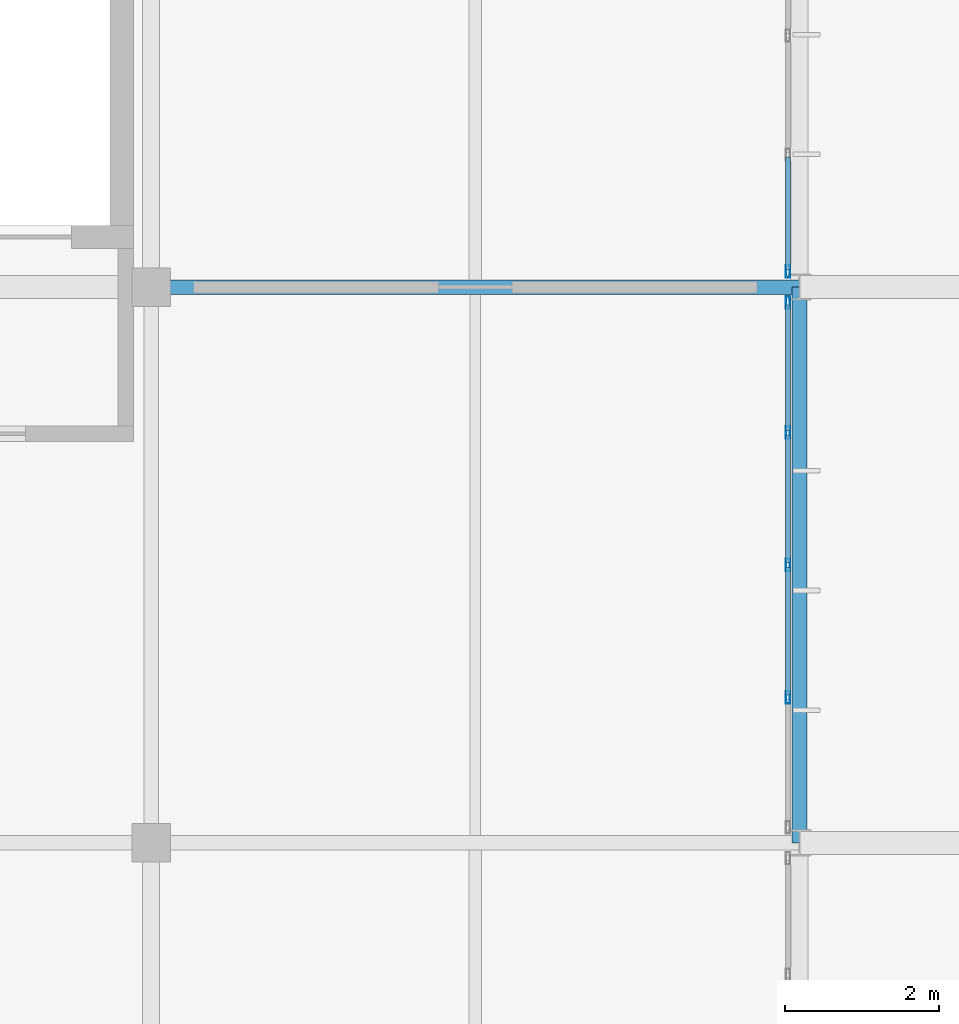
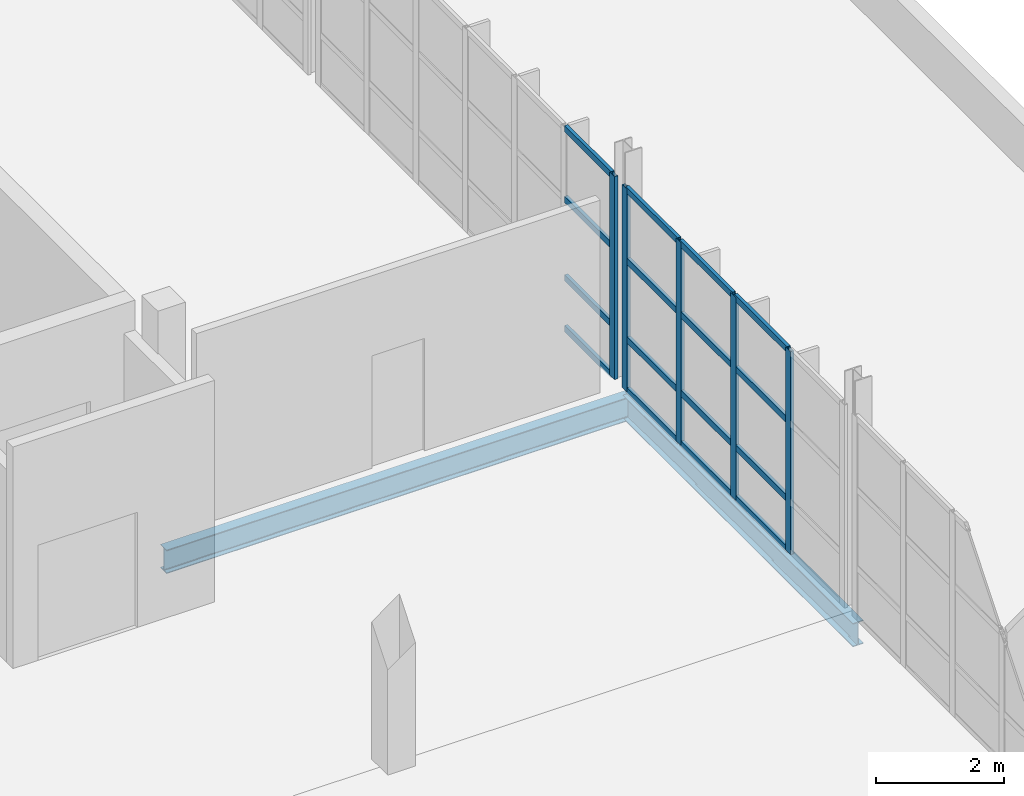
# One storey, part 76 of 103: 21 members, 2 beams, 2 elements without a shape of their own.
"""IFC4 building model written with IfcOpenShell, lengths in metres."""

import ifcopenshell
import ifcopenshell.guid

model = None  # the IFC model being written
_history = None  # IfcOwnerHistory: only IFC2X3 demands one
_inside = {}  # id of a spatial element -> (the spatial element, [elements in it])
_under = {}  # id of a project, library or spatial element -> (it, [spatial elements below it])
_declared = {}  # id of a project -> (the project, [libraries it declares])
_typed = {}  # id of a type object -> (the type object, [elements of that type])
_made_of = {}  # id of a material, layer set ... -> (it, [elements and type objects made of it])


def new_model(schema):
    """Start an empty IFC model of exactly this schema.

    Asked for "IFC4X3", IfcOpenShell would pick the latest addendum, in which some entities
    have other attributes; the version numbers below select the first issue.
    IFC2X3 requires an IfcOwnerHistory on every rooted entity: one is made here for all.
    """
    global model, _history
    if schema == "IFC4X3":
        model = ifcopenshell.file(schema_version=(4, 3, 0, 0))
    else:
        model = ifcopenshell.file(schema=schema)
    _inside.clear()
    _under.clear()
    _declared.clear()
    _typed.clear()
    _made_of.clear()
    _history = None
    if model.schema == "IFC2X3":
        org = make("IfcOrganization", Name="unknown")
        user = make(
            "IfcPersonAndOrganization",
            ThePerson=make("IfcPerson", FamilyName="unknown"),
            TheOrganization=org,
        )
        app = make(
            "IfcApplication",
            ApplicationDeveloper=org,
            Version="unknown",
            ApplicationFullName="unknown",
            ApplicationIdentifier="unknown",
        )
        _history = make(
            "IfcOwnerHistory",
            OwningUser=user,
            OwningApplication=app,
            ChangeAction="ADDED",
            CreationDate=0,
        )
    return model


def make(cls, **values):
    """One entity of the class cls with the attributes given. An attribute that is None is left unset."""
    return model.create_entity(
        cls, **{name: value for name, value in values.items() if value is not None}
    )


def rooted(cls, **values):
    """An entity with a GlobalId (a new one), such as an element, a storey or a relation."""
    return make(cls, GlobalId=ifcopenshell.guid.new(), OwnerHistory=_history, **values)


def si_unit(unit_type, name, prefix=None):
    """IfcSIUnit, for example si_unit("LENGTHUNIT", "METRE", prefix="MILLI")."""
    return make("IfcSIUnit", UnitType=unit_type, Prefix=prefix, Name=name)


def assignment(units):
    """IfcUnitAssignment: the units of a project."""
    return None if units is None else make("IfcUnitAssignment", Units=units)


def point(xyz):
    """IfcCartesianPoint."""
    return None if xyz is None else make("IfcCartesianPoint", Coordinates=xyz)


def direction(xyz):
    """IfcDirection."""
    return None if xyz is None else make("IfcDirection", DirectionRatios=xyz)


def frame(location, z_axis=None, x_axis=None):
    """IfcAxis2Placement3D, a coordinate frame: its origin and axes. An axis left out is left unset."""
    return make(
        "IfcAxis2Placement3D",
        Location=point(location),
        Axis=direction(z_axis),
        RefDirection=direction(x_axis),
    )


def frame_2d(location, x_axis=None):
    """IfcAxis2Placement2D, a coordinate frame in the plane: its origin and x axis."""
    return make(
        "IfcAxis2Placement2D", Location=point(location), RefDirection=direction(x_axis)
    )


def origin():
    """The frame at (0, 0, 0) with its axes left unset."""
    return frame((0.0, 0.0, 0.0))


def origin_2d():
    """The frame at (0, 0) in the plane with its x axis left unset."""
    return frame_2d((0.0, 0.0))


def place(relative_to, where):
    """IfcLocalPlacement: puts the frame where relative to a parent placement (None: the world)."""
    return make(
        "IfcLocalPlacement", PlacementRelTo=relative_to, RelativePlacement=where
    )


def context(
    kind, dimensions, precision=None, world=None, true_north=None, identifier=None
):
    """IfcGeometricRepresentationContext, for example the 3D "Model" context."""
    return make(
        "IfcGeometricRepresentationContext",
        ContextIdentifier=identifier,
        ContextType=kind,
        CoordinateSpaceDimension=dimensions,
        Precision=precision,
        WorldCoordinateSystem=world,
        TrueNorth=true_north,
    )


def subcontext(parent, identifier, kind, view, scale=None):
    """IfcGeometricRepresentationSubContext, for example "Body" below "Model"."""
    return make(
        "IfcGeometricRepresentationSubContext",
        ContextIdentifier=identifier,
        ContextType=kind,
        ParentContext=parent,
        TargetScale=scale,
        TargetView=view,
    )


def project(units=None, contexts=None):
    """IfcProject with its units and contexts."""
    return rooted(
        "IfcProject",
        Name="project",
        RepresentationContexts=contexts,
        UnitsInContext=assignment(units),
    )


def spatial(cls, under=None, at=None, **own):
    """A site, building, storey or space (cls), placed at a placement, below another one or the project."""
    s = rooted(cls, ObjectPlacement=at, **own)
    if under is not None:
        _under.setdefault(under.id(), (under, []))[1].append(s)
    return s


def profile(cls, at=None, kind="AREA", **sizes):
    """A parametric profile (cls). Its sizes go by their IFC names, for example OverallWidth=200.0."""
    return make(cls, ProfileType=kind, Position=at, **sizes)


def hollow_rectangle(**sizes):
    """IfcRectangleHollowProfileDef."""
    return profile("IfcRectangleHollowProfileDef", **sizes)


def i_section(**sizes):
    """IfcIShapeProfileDef."""
    return profile("IfcIShapeProfileDef", **sizes)


def extrude(swept, where, along, depth):
    """IfcExtrudedAreaSolid: the profile swept, set in the frame where, extruded along a direction by depth."""
    return make(
        "IfcExtrudedAreaSolid",
        SweptArea=swept,
        Position=where,
        ExtrudedDirection=direction(along),
        Depth=depth,
    )


def shape(context_of_items, identifier, shape_type, items):
    """IfcShapeRepresentation: the items that make up one representation, for example the "Body"."""
    return make(
        "IfcShapeRepresentation",
        ContextOfItems=context_of_items,
        RepresentationIdentifier=identifier,
        RepresentationType=shape_type,
        Items=items,
    )


def material(Name=None, Category=None):
    """IfcMaterial."""
    return make("IfcMaterial", Name=Name, Category=Category)


def material_profile(
    of_material, cross_section, Name=None, Category=None, Priority=None
):
    """IfcMaterialProfile: a cross section and its material."""
    return make(
        "IfcMaterialProfile",
        Name=Name,
        Material=of_material,
        Profile=cross_section,
        Priority=Priority,
        Category=Category,
    )


def profile_set(profiles, Name=None, composite=None):
    """IfcMaterialProfileSet."""
    return make(
        "IfcMaterialProfileSet",
        Name=Name,
        MaterialProfiles=profiles,
        CompositeProfile=composite,
    )


def made_of(thing, what):
    """Note that an element or type object is made of a material, layer set ...; save() writes the relation."""
    if what is not None:
        _made_of.setdefault(what.id(), (what, []))[1].append(thing)
    return thing


def type_object(cls, material=None, **own):
    """A type object (cls), such as IfcWallType, which elements share."""
    return made_of(rooted(cls, **own), material)


def element(
    cls,
    number,
    at=None,
    inside=None,
    cuts=None,
    type_object=None,
    material=None,
    context=None,
    identifier="Body",
    shape_type=None,
    held_by="IfcProductDefinitionShape",
    body=None,
    shapes=None,
    **own,
):
    """One element of the class cls, such as IfcWall. Its Tag is "e" and its number.

    at: its placement. inside: the storey or other place that contains it. cuts: it is an
    opening in that element (IfcRelVoidsElement). A single representation is given by context,
    identifier, shape_type and body (its items); several are given by shapes. held_by: the class
    of the entity that holds the representations. save() writes the other relations.
    """
    e = rooted(cls, Tag="e%d" % number, ObjectPlacement=at, **own)
    if body is not None:
        shapes = [shape(context, identifier, shape_type, body)]
    if shapes is not None:
        e.Representation = make(held_by, Representations=shapes)
    if inside is not None:
        _inside.setdefault(inside.id(), (inside, []))[1].append(e)
    if cuts is not None:
        rooted(
            "IfcRelVoidsElement", RelatingBuildingElement=cuts, RelatedOpeningElement=e
        )
    if type_object is not None:
        _typed.setdefault(type_object.id(), (type_object, []))[1].append(e)
    return made_of(e, material)


def aggregate(whole, parts):
    """IfcRelAggregates: a whole, such as a stair, and the parts it consists of."""
    return rooted("IfcRelAggregates", RelatingObject=whole, RelatedObjects=parts)


def save(model, path):
    """Write the relations noted so far, then the file.

    IfcRelAggregates (storeys below a building ...), IfcRelContainedInSpatialStructure (elements
    in a storey), IfcRelDefinesByType, IfcRelAssociatesMaterial and IfcRelDeclares: one each for
    every whole, place, type object, material and project.
    """
    for whole, parts in _under.values():
        aggregate(whole, parts)
    for where, things in _inside.values():
        rooted(
            "IfcRelContainedInSpatialStructure",
            RelatedElements=things,
            RelatingStructure=where,
        )
    for kind, things in _typed.values():
        rooted("IfcRelDefinesByType", RelatedObjects=things, RelatingType=kind)
    for what, things in _made_of.values():
        rooted("IfcRelAssociatesMaterial", RelatedObjects=things, RelatingMaterial=what)
    for by, libraries in _declared.values():
        rooted("IfcRelDeclares", RelatingContext=by, RelatedDefinitions=libraries)
    model.write(path)


model = new_model("IFC4")

# Units and contexts
model_context = context("Model", 3, precision=1e-05, world=origin(), true_north=direction((0.0, 1.0)))
body_context = subcontext(model_context, "Body", "Model", "MODEL_VIEW")
ifc_project = project(units=[si_unit("LENGTHUNIT", "METRE"), si_unit("AREAUNIT", "SQUARE_METRE"), si_unit("VOLUMEUNIT", "CUBIC_METRE"), si_unit("PLANEANGLEUNIT", "RADIAN"), si_unit("MASSUNIT", "GRAM", prefix="KILO")], contexts=[model_context])

# Site, building, storey
site_placement = place(None, origin())
site = spatial("IfcSite", under=ifc_project, at=site_placement, CompositionType="ELEMENT")
building_placement = place(site_placement, origin())
building = spatial("IfcBuilding", under=site, at=building_placement, Name="Veltarok Museum of Natural Sciences", CompositionType="ELEMENT")
storey_placement = place(building_placement, frame((0.0, 0.0, 21.89990234375)))
storey = spatial("IfcBuildingStorey", under=building, at=storey_placement, Name="L04", CompositionType="ELEMENT", Elevation=21.89990234375)

# Curtain wall, members
ifc_material_1 = material(Name="Low-iron triple insulated glass", Category="glass")
curtain_wall_type_1 = type_object("IfcCurtainWallType", Name="Curtain Wall System CW-V5E-L04-C-686x388 (V5 East Lab L04 C-D 686x388cm)", PredefinedType="NOTDEFINED", material=ifc_material_1)
curtain_wall_1_placement = place(storey_placement, origin())
curtain_wall_1 = element("IfcCurtainWall", 1, at=curtain_wall_1_placement, inside=storey, type_object=curtain_wall_type_1, Name="Curtain Wall CW-V5E-L04-C-686x388 CW-0122", PredefinedType="NOTDEFINED")
ifc_material_2 = material(Name="Thermally broken anodised aluminium", Category="aluminium")
ifc_material_profile_1 = material_profile(ifc_material_2, hollow_rectangle(XDim=0.06005859375, YDim=0.1201171875, WallThickness=0.0048828125, at=origin_2d()), Name="CW TRANSOM 60x120x5")
ifc_profile_set_1 = profile_set([ifc_material_profile_1], Name="Thermally broken anodised aluminium")
member_type_1 = type_object("IfcMemberType", Name="Curtain Wall Horizontal Transom 60x120x5", PredefinedType="USERDEFINED", material=ifc_profile_set_1)
member_1_placement = place(storey_placement, frame((149.050048828125, 21.114990234375, 0.030029296875), z_axis=(0.0, 1.0, 0.0), x_axis=(-1.0, 0.0, 0.0)))
member_1 = element("IfcMember", 2, at=member_1_placement, type_object=member_type_1, Name="CW-V5E-L04-C-686x388 transom 2.1", ObjectType="TRANSOM", PredefinedType="USERDEFINED", context=body_context, shape_type="SweptSolid", body=[
    extrude(hollow_rectangle(XDim=0.06005859375, YDim=0.1201171875, WallThickness=0.0048828125, at=origin_2d()), origin(), (0.0, 0.0, 1.0), 1.655029296875),
])
member_2_placement = place(storey_placement, frame((149.050048828125, 21.114990234375, 1.0), z_axis=(0.0, 1.0, 0.0), x_axis=(-1.0, 0.0, 0.0)))
member_2 = element("IfcMember", 3, at=member_2_placement, type_object=member_type_1, Name="CW-V5E-L04-C-686x388 transom 2.2", ObjectType="TRANSOM", PredefinedType="USERDEFINED", context=body_context, shape_type="SweptSolid", body=[
    extrude(hollow_rectangle(XDim=0.06005859375, YDim=0.1201171875, WallThickness=0.0048828125, at=origin_2d()), origin(), (0.0, 0.0, 1.0), 1.655029296875),
])
member_3_placement = place(storey_placement, frame((149.050048828125, 21.114990234375, 2.5), z_axis=(0.0, 1.0, 0.0), x_axis=(-1.0, 0.0, 0.0)))
member_3 = element("IfcMember", 4, at=member_3_placement, type_object=member_type_1, Name="CW-V5E-L04-C-686x388 transom 2.3", ObjectType="TRANSOM", PredefinedType="USERDEFINED", context=body_context, shape_type="SweptSolid", body=[
    extrude(hollow_rectangle(XDim=0.06005859375, YDim=0.1201171875, WallThickness=0.0048828125, at=origin_2d()), origin(), (0.0, 0.0, 1.0), 1.655029296875),
])
member_4_placement = place(storey_placement, frame((149.050048828125, 21.114990234375, 3.85009765625), z_axis=(0.0, 1.0, 0.0), x_axis=(-1.0, 0.0, 0.0)))
member_4 = element("IfcMember", 5, at=member_4_placement, type_object=member_type_1, Name="CW-V5E-L04-C-686x388 transom 2.4", ObjectType="TRANSOM", PredefinedType="USERDEFINED", context=body_context, shape_type="SweptSolid", body=[
    extrude(hollow_rectangle(XDim=0.06005859375, YDim=0.1201171875, WallThickness=0.0048828125, at=origin_2d()), origin(), (0.0, 0.0, 1.0), 1.655029296875),
])
member_5_placement = place(storey_placement, frame((149.050048828125, 22.830078125, 0.030029296875), z_axis=(0.0, 1.0, 0.0), x_axis=(-1.0, 0.0, 0.0)))
member_5 = element("IfcMember", 6, at=member_5_placement, type_object=member_type_1, Name="CW-V5E-L04-C-686x388 transom 3.1", ObjectType="TRANSOM", PredefinedType="USERDEFINED", context=body_context, shape_type="SweptSolid", body=[
    extrude(hollow_rectangle(XDim=0.06005859375, YDim=0.1201171875, WallThickness=0.0048828125, at=origin_2d()), origin(), (0.0, 0.0, 1.0), 1.655029296875),
])
member_6_placement = place(storey_placement, frame((149.050048828125, 22.830078125, 1.0), z_axis=(0.0, 1.0, 0.0), x_axis=(-1.0, 0.0, 0.0)))
member_6 = element("IfcMember", 7, at=member_6_placement, type_object=member_type_1, Name="CW-V5E-L04-C-686x388 transom 3.2", ObjectType="TRANSOM", PredefinedType="USERDEFINED", context=body_context, shape_type="SweptSolid", body=[
    extrude(hollow_rectangle(XDim=0.06005859375, YDim=0.1201171875, WallThickness=0.0048828125, at=origin_2d()), origin(), (0.0, 0.0, 1.0), 1.655029296875),
])
member_7_placement = place(storey_placement, frame((149.050048828125, 22.830078125, 2.5), z_axis=(0.0, 1.0, 0.0), x_axis=(-1.0, 0.0, 0.0)))
member_7 = element("IfcMember", 8, at=member_7_placement, type_object=member_type_1, Name="CW-V5E-L04-C-686x388 transom 3.3", ObjectType="TRANSOM", PredefinedType="USERDEFINED", context=body_context, shape_type="SweptSolid", body=[
    extrude(hollow_rectangle(XDim=0.06005859375, YDim=0.1201171875, WallThickness=0.0048828125, at=origin_2d()), origin(), (0.0, 0.0, 1.0), 1.655029296875),
])
member_8_placement = place(storey_placement, frame((149.050048828125, 22.830078125, 3.85009765625), z_axis=(0.0, 1.0, 0.0), x_axis=(-1.0, 0.0, 0.0)))
member_8 = element("IfcMember", 9, at=member_8_placement, type_object=member_type_1, Name="CW-V5E-L04-C-686x388 transom 3.4", ObjectType="TRANSOM", PredefinedType="USERDEFINED", context=body_context, shape_type="SweptSolid", body=[
    extrude(hollow_rectangle(XDim=0.06005859375, YDim=0.1201171875, WallThickness=0.0048828125, at=origin_2d()), origin(), (0.0, 0.0, 1.0), 1.655029296875),
])
member_9_placement = place(storey_placement, frame((149.050048828125, 24.544921875, 0.030029296875), z_axis=(0.0, 1.0, 0.0), x_axis=(-1.0, 0.0, 0.0)))
member_9 = element("IfcMember", 10, at=member_9_placement, type_object=member_type_1, Name="CW-V5E-L04-C-686x388 transom 4.1", ObjectType="TRANSOM", PredefinedType="USERDEFINED", context=body_context, shape_type="SweptSolid", body=[
    extrude(hollow_rectangle(XDim=0.06005859375, YDim=0.1201171875, WallThickness=0.0048828125, at=origin_2d()), origin(), (0.0, 0.0, 1.0), 1.625),
])
member_10_placement = place(storey_placement, frame((149.050048828125, 24.544921875, 1.0), z_axis=(0.0, 1.0, 0.0), x_axis=(-1.0, 0.0, 0.0)))
member_10 = element("IfcMember", 11, at=member_10_placement, type_object=member_type_1, Name="CW-V5E-L04-C-686x388 transom 4.2", ObjectType="TRANSOM", PredefinedType="USERDEFINED", context=body_context, shape_type="SweptSolid", body=[
    extrude(hollow_rectangle(XDim=0.06005859375, YDim=0.1201171875, WallThickness=0.0048828125, at=origin_2d()), origin(), (0.0, 0.0, 1.0), 1.625),
])
member_11_placement = place(storey_placement, frame((149.050048828125, 24.544921875, 2.5), z_axis=(0.0, 1.0, 0.0), x_axis=(-1.0, 0.0, 0.0)))
member_11 = element("IfcMember", 12, at=member_11_placement, type_object=member_type_1, Name="CW-V5E-L04-C-686x388 transom 4.3", ObjectType="TRANSOM", PredefinedType="USERDEFINED", context=body_context, shape_type="SweptSolid", body=[
    extrude(hollow_rectangle(XDim=0.06005859375, YDim=0.1201171875, WallThickness=0.0048828125, at=origin_2d()), origin(), (0.0, 0.0, 1.0), 1.625),
])
member_12_placement = place(storey_placement, frame((149.050048828125, 24.544921875, 3.85009765625), z_axis=(0.0, 1.0, 0.0), x_axis=(-1.0, 0.0, 0.0)))
member_12 = element("IfcMember", 13, at=member_12_placement, type_object=member_type_1, Name="CW-V5E-L04-C-686x388 transom 4.4", ObjectType="TRANSOM", PredefinedType="USERDEFINED", context=body_context, shape_type="SweptSolid", body=[
    extrude(hollow_rectangle(XDim=0.06005859375, YDim=0.1201171875, WallThickness=0.0048828125, at=origin_2d()), origin(), (0.0, 0.0, 1.0), 1.625),
])

curtain_wall_type_2 = type_object("IfcCurtainWallType", Name="Curtain Wall System CW-V5E-L04-D-926x388 (V5 East Lab L04 D-E 926x388cm)", PredefinedType="NOTDEFINED", material=ifc_material_1)
curtain_wall_2_placement = place(storey_placement, origin())
curtain_wall_2 = element("IfcCurtainWall", 14, at=curtain_wall_2_placement, inside=storey, type_object=curtain_wall_type_2, Name="Curtain Wall CW-V5E-L04-D-926x388 CW-0123", PredefinedType="NOTDEFINED")
member_13_placement = place(storey_placement, frame((149.050048828125, 26.6298828125, 0.030029296875), z_axis=(0.0, 1.0, 0.0), x_axis=(-1.0, 0.0, 0.0)))
member_13 = element("IfcMember", 15, at=member_13_placement, type_object=member_type_1, Name="CW-V5E-L04-D-926x388 transom 1.1", ObjectType="TRANSOM", PredefinedType="USERDEFINED", context=body_context, shape_type="SweptSolid", body=[
    extrude(hollow_rectangle(XDim=0.06005859375, YDim=0.1201171875, WallThickness=0.0048828125, at=origin_2d()), origin(), (0.0, 0.0, 1.0), 1.453369140625),
])
member_14_placement = place(storey_placement, frame((149.050048828125, 26.6298828125, 1.0), z_axis=(0.0, 1.0, 0.0), x_axis=(-1.0, 0.0, 0.0)))
member_14 = element("IfcMember", 16, at=member_14_placement, type_object=member_type_1, Name="CW-V5E-L04-D-926x388 transom 1.2", ObjectType="TRANSOM", PredefinedType="USERDEFINED", context=body_context, shape_type="SweptSolid", body=[
    extrude(hollow_rectangle(XDim=0.06005859375, YDim=0.1201171875, WallThickness=0.0048828125, at=origin_2d()), origin(), (0.0, 0.0, 1.0), 1.453369140625),
])
member_15_placement = place(storey_placement, frame((149.050048828125, 26.6298828125, 2.5), z_axis=(0.0, 1.0, 0.0), x_axis=(-1.0, 0.0, 0.0)))
member_15 = element("IfcMember", 17, at=member_15_placement, type_object=member_type_1, Name="CW-V5E-L04-D-926x388 transom 1.3", ObjectType="TRANSOM", PredefinedType="USERDEFINED", context=body_context, shape_type="SweptSolid", body=[
    extrude(hollow_rectangle(XDim=0.06005859375, YDim=0.1201171875, WallThickness=0.0048828125, at=origin_2d()), origin(), (0.0, 0.0, 1.0), 1.453369140625),
])
member_16_placement = place(storey_placement, frame((149.050048828125, 26.6298828125, 3.85009765625), z_axis=(0.0, 1.0, 0.0), x_axis=(-1.0, 0.0, 0.0)))
member_16 = element("IfcMember", 18, at=member_16_placement, type_object=member_type_1, Name="CW-V5E-L04-D-926x388 transom 1.4", ObjectType="TRANSOM", PredefinedType="USERDEFINED", context=body_context, shape_type="SweptSolid", body=[
    extrude(hollow_rectangle(XDim=0.06005859375, YDim=0.1201171875, WallThickness=0.0048828125, at=origin_2d()), origin(), (0.0, 0.0, 1.0), 1.453369140625),
])

# Member
ifc_material_profile_2 = material_profile(ifc_material_2, hollow_rectangle(XDim=0.06005859375, YDim=0.159912109375, WallThickness=0.0048828125, at=origin_2d()), Name="CW MULLION 60x160x5")
ifc_profile_set_2 = profile_set([ifc_material_profile_2], Name="Thermally broken anodised aluminium")
member_type_2 = type_object("IfcMemberType", Name="Curtain Wall Vertical Mullion 60x160x5", PredefinedType="MULLION", material=ifc_profile_set_2)
member_17_placement = place(storey_placement, frame((149.050048828125, 21.0849609375, 0.0), z_axis=(0.0, 0.0, 1.0), x_axis=(-1.0, 0.0, 0.0)))
member_17 = element("IfcMember", 19, at=member_17_placement, type_object=member_type_2, Name="CW-V5E-L04-C-686x388 mullion 2", PredefinedType="MULLION", context=body_context, shape_type="SweptSolid", body=[
    extrude(hollow_rectangle(XDim=0.06005859375, YDim=0.159912109375, WallThickness=0.0048828125, at=origin_2d()), origin(), (0.0, 0.0, 1.0), 3.880126953125),
])

member_18_placement = place(storey_placement, frame((149.050048828125, 22.800048828125, 0.0), z_axis=(0.0, 0.0, 1.0), x_axis=(-1.0, 0.0, 0.0)))
member_18 = element("IfcMember", 20, at=member_18_placement, type_object=member_type_2, Name="CW-V5E-L04-C-686x388 mullion 3", PredefinedType="MULLION", context=body_context, shape_type="SweptSolid", body=[
    extrude(hollow_rectangle(XDim=0.06005859375, YDim=0.159912109375, WallThickness=0.0048828125, at=origin_2d()), origin(), (0.0, 0.0, 1.0), 3.880126953125),
])

member_19_placement = place(storey_placement, frame((149.050048828125, 24.514892578125, 0.0), z_axis=(0.0, 0.0, 1.0), x_axis=(-1.0, 0.0, 0.0)))
member_19 = element("IfcMember", 21, at=member_19_placement, type_object=member_type_2, Name="CW-V5E-L04-C-686x388 mullion 4", PredefinedType="MULLION", context=body_context, shape_type="SweptSolid", body=[
    extrude(hollow_rectangle(XDim=0.06005859375, YDim=0.159912109375, WallThickness=0.0048828125, at=origin_2d()), origin(), (0.0, 0.0, 1.0), 3.880126953125),
])

member_20_placement = place(storey_placement, frame((149.050048828125, 26.199951171875, 0.0), z_axis=(0.0, 0.0, 1.0), x_axis=(-1.0, 0.0, 0.0)))
member_20 = element("IfcMember", 22, at=member_20_placement, type_object=member_type_2, Name="CW-V5E-L04-C-686x388 mullion 5", PredefinedType="MULLION", context=body_context, shape_type="SweptSolid", body=[
    extrude(hollow_rectangle(XDim=0.06005859375, YDim=0.159912109375, WallThickness=0.0048828125, at=origin_2d()), origin(), (0.0, 0.0, 1.0), 3.880126953125),
])

aggregate(curtain_wall_1, [member_17, member_18, member_19, member_20, member_1, member_2, member_3, member_4, member_5, member_6, member_7, member_8, member_9, member_10, member_11, member_12])

member_21_placement = place(storey_placement, frame((149.050048828125, 26.60009765625, 0.0), z_axis=(0.0, 0.0, 1.0), x_axis=(-1.0, 0.0, 0.0)))
member_21 = element("IfcMember", 23, at=member_21_placement, type_object=member_type_2, Name="CW-V5E-L04-D-926x388 mullion 1", PredefinedType="MULLION", context=body_context, shape_type="SweptSolid", body=[
    extrude(hollow_rectangle(XDim=0.06005859375, YDim=0.159912109375, WallThickness=0.0048828125, at=origin_2d()), origin(), (0.0, 0.0, 1.0), 3.880126953125),
])

aggregate(curtain_wall_2, [member_21, member_13, member_14, member_15, member_16])

# Beams
ifc_material_3 = material(Name="Steel S355J2", Category="steel")
ifc_material_profile_3 = material_profile(ifc_material_3, i_section(OverallWidth=0.18994140625, OverallDepth=0.449951171875, WebThickness=0.009521484375, FlangeThickness=0.0146484375, FilletRadius=0.02099609375, at=origin_2d()), Name="IPE 450")
ifc_profile_set_3 = profile_set([ifc_material_profile_3], Name="Steel S355J2")
beam_type = type_object("IfcBeamType", Name="Laboratory Floor Girder IPE 450", PredefinedType="BEAM", material=ifc_profile_set_3)
beam_1_placement = place(storey_placement, frame((140.800048828125, 26.39990234375, -0.474853515625), z_axis=(1.0, 0.0, 0.0), x_axis=(0.0, 1.0, 0.0)))
element("IfcBeam", 24, at=beam_1_placement, inside=storey, type_object=beam_type, Name="Beam BM-G05 L04 17-18/D", PredefinedType="BEAM", context=body_context, shape_type="SweptSolid", body=[
    extrude(i_section(OverallWidth=0.18994140625, OverallDepth=0.449951171875, WebThickness=0.009521484375, FlangeThickness=0.0146484375, FilletRadius=0.02099609375, at=origin_2d()), origin(), (0.0, 0.0, 1.0), 8.39990234375),
])
beam_2_placement = place(storey_placement, frame((149.199951171875, 19.199951171875, -0.474853515625), z_axis=(0.0, 1.0, 0.0), x_axis=(-1.0, 0.0, 0.0)))
element("IfcBeam", 25, at=beam_2_placement, inside=storey, type_object=beam_type, Name="Beam BM-G05 L04 18/C-D", PredefinedType="BEAM", context=body_context, shape_type="SweptSolid", body=[
    extrude(i_section(OverallWidth=0.18994140625, OverallDepth=0.449951171875, WebThickness=0.009521484375, FlangeThickness=0.0146484375, FilletRadius=0.02099609375, at=origin_2d()), origin(), (0.0, 0.0, 1.0), 7.199951171875),
])

save(model, "model.ifc")
